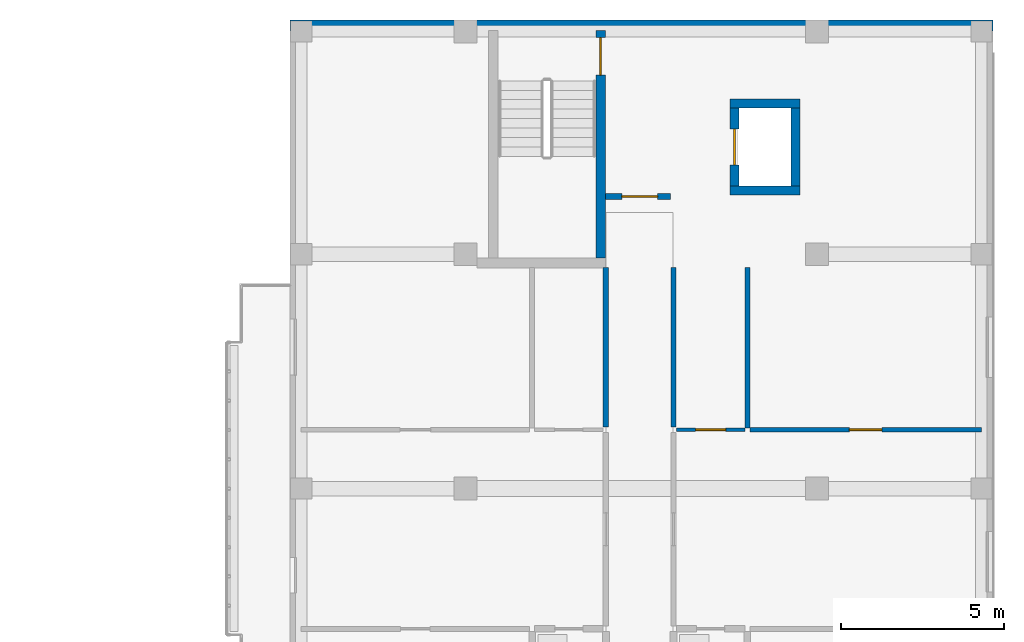
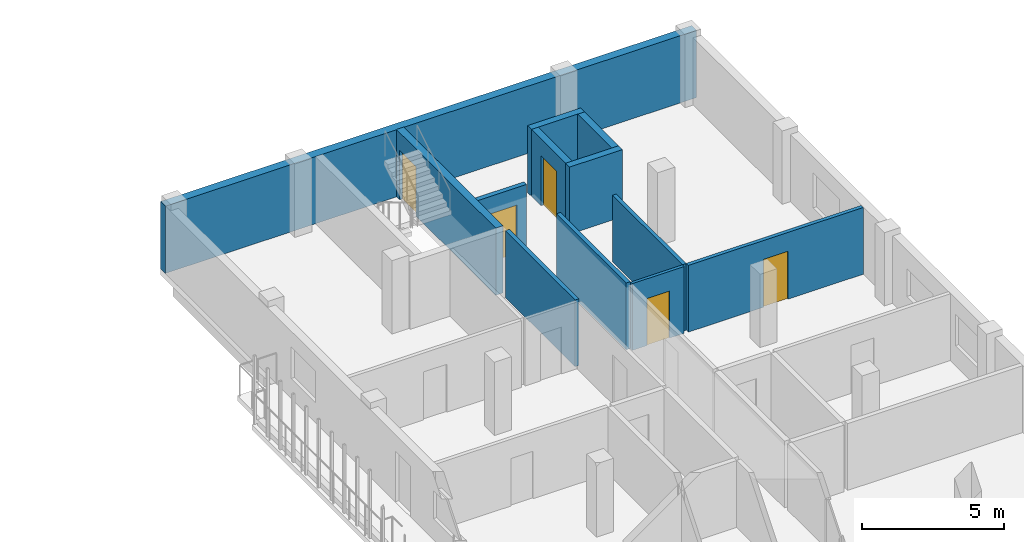
# One storey, part 36 of 51: 12 walls, 5 doors, 5 openings.
"""IFC4 building model written with IfcOpenShell, lengths in metres."""

from ifc_helpers import new_model, si_unit, derived_unit, direction, frame, frame_2d, origin, place, context, subcontext, project, spatial, rectangle, extrude, material, layer, layer_set, type_object, element, fill, save


model = new_model("IFC4")

# Units and contexts
model_context = context("Model", 3, precision=1e-05, world=origin(), true_north=direction((0.0, 1.0)))
body_context = subcontext(model_context, "Body", "Model", "MODEL_VIEW")
ifc_project = project(units=[si_unit("LENGTHUNIT", "METRE"), si_unit("AREAUNIT", "SQUARE_METRE"), si_unit("VOLUMEUNIT", "CUBIC_METRE"), si_unit("PLANEANGLEUNIT", "RADIAN"), si_unit("MASSUNIT", "GRAM", prefix="KILO"), derived_unit("THERMALTRANSMITTANCEUNIT", [(si_unit("MASSUNIT", "GRAM", prefix="KILO"), 1), (si_unit("TIMEUNIT", "SECOND"), -3), (si_unit("THERMODYNAMICTEMPERATUREUNIT", "KELVIN"), -1)])], contexts=[model_context])

# Site, building, storey
site_placement = place(None, origin())
site = spatial("IfcSite", under=ifc_project, at=site_placement, CompositionType="ELEMENT")
building_placement = place(site_placement, origin())
building = spatial("IfcBuilding", under=site, at=building_placement, Name="Ochrekiln Boulevard Commons", CompositionType="ELEMENT")
storey_placement = place(building_placement, frame((0.0, 0.0, 18.375)))
storey = spatial("IfcBuildingStorey", under=building, at=storey_placement, Name="L05", CompositionType="ELEMENT", Elevation=18.375)

# Walls
ifc_material_1 = material(Name="Iron-spot brown clinker brick masonry ASTM C216 Grade SW", Category="masonry")
ifc_layer_1 = layer(ifc_material_1, 0.340087890625)
ifc_layer_set_1 = layer_set([ifc_layer_1], Name="Iron-spot brown clinker brick masonry ASTM C216 Grade SW")
wall_type_1 = type_object("IfcWallType", Name="WL-EXT-IRON-340", PredefinedType="SOLIDWALL", material=ifc_layer_set_1)
wall_1_placement = place(storey_placement, frame((151.199951171875, 118.6298828125, 0.0), z_axis=(0.0, 0.0, 1.0), x_axis=(1.0, 0.0, 0.0)))
element("IfcWall", 1, at=wall_1_placement, inside=storey, type_object=wall_type_1, Name="Block B L05 N Exterior Wall", PredefinedType="SOLIDWALL", context=body_context, shape_type="SweptSolid", body=[
    extrude(rectangle(XDim=21.60009765625, YDim=0.340087890625, at=frame_2d((10.800048828125, 0.0))), origin(), (0.0, 0.0, 1.0), 2.889892578125),
])
ifc_material_2 = material(Name="Fire-rated Type X gypsum board on steel studs", Category="steel")
ifc_layer_2 = layer(ifc_material_2, 0.1650390625)
ifc_layer_set_2 = layer_set([ifc_layer_2], Name="Fire-rated Type X gypsum board on steel studs")
wall_type_2 = type_object("IfcWallType", Name="WL-PT-CORR-165", PredefinedType="PARTITIONING", material=ifc_layer_set_2)
for number, where, z_axis, x_axis, name in (
    (2, (160.909912109375, 106.2880859375, 0.0), (0.0, 0.0, 1.0), (0.0, 1.0, 0.0), "L05 Interior Wall W-PC165"),
    (3, (162.989990234375, 106.2880859375, 0.0), (0.0, 0.0, 1.0), (0.0, 1.0, 0.0), "L05 Interior Wall W-PC165"),
):
    element("IfcWall", number, at=place(storey_placement, frame(where, z_axis=z_axis, x_axis=x_axis)), inside=storey, type_object=wall_type_2, Name=name, PredefinedType="PARTITIONING", context=body_context, shape_type="SweptSolid", body=[
        extrude(rectangle(XDim=4.911865234375, YDim=0.1650390625, at=frame_2d((2.4560546875, 0.0))), origin(), (0.0, 0.0, 1.0), 2.8701171875),
    ])

# Wall, opening, door
ifc_layer_3 = layer(ifc_material_2, 0.18994140625)
ifc_layer_set_3 = layer_set([ifc_layer_3], Name="Fire-rated Type X gypsum board on steel studs")
wall_type_3 = type_object("IfcWallType", Name="WL-PT-LBY-190", PredefinedType="PARTITIONING", material=ifc_layer_set_3)
wall_2_placement = place(storey_placement, frame((160.89990234375, 113.3798828125, 0.0), z_axis=(0.0, 0.0, 1.0), x_axis=(1.0, 0.0, 0.0)))
wall_2 = element("IfcWall", 4, at=wall_2_placement, inside=storey, type_object=wall_type_3, Name="L05 Interior Wall W-PL190", PredefinedType="PARTITIONING", context=body_context, shape_type="SweptSolid", body=[
    extrude(rectangle(XDim=2.0, YDim=0.18994140625, at=frame_2d((1.0, 0.0))), origin(), (0.0, 0.0, 1.0), 2.8701171875),
])
opening_1_placement = place(wall_2_placement, frame((0.5, 0.0, 0.0)))
opening_1 = element("IfcOpeningElement", 5, at=opening_1_placement, cuts=wall_2, Name="Opening D-L05-704", PredefinedType="OPENING", context=body_context, shape_type="SweptSolid", body=[
    extrude(rectangle(XDim=1.10009765625, YDim=2.1201171875, at=frame_2d((0.550048828125, 1.06005859375))), frame((0.0, 0.10498046875, 0.0), z_axis=(0.0, -1.0, 0.0), x_axis=(1.0, 0.0, 0.0)), (0.0, 0.0, 1.0), 0.2099609375),
])
ifc_material_3 = material(Name="Hollow metal fire-rated steel door assembly", Category="steel")
door_type_1 = type_object("IfcDoorType", Name="DR-LOBBY-60", OperationType="NOTDEFINED", PredefinedType="DOOR", material=ifc_material_3)
door_1_placement = place(opening_1_placement, origin())
door_1 = element("IfcDoor", 6, at=door_1_placement, inside=storey, type_object=door_type_1, Name="L05 Interior Door to Fire Service Access Elevator Lobby", OperationType="SINGLE_SWING_RIGHT", OverallHeight=2.1201171875, OverallWidth=1.10009765625, PredefinedType="DOOR", context=body_context, shape_type="SweptSolid", body=[
    extrude(rectangle(XDim=1.10009765625, YDim=2.1201171875, at=frame_2d((0.550048828125, 1.06005859375))), frame((0.0, 0.02490234375, 0.0), z_axis=(0.0, -1.0, 0.0), x_axis=(1.0, 0.0, 0.0)), (0.0, 0.0, 1.0), 0.050048828125),
])
fill(opening_1, door_1)

ifc_layer_4 = layer(ifc_material_2, 0.1201171875)
ifc_layer_set_4 = layer_set([ifc_layer_4], Name="Fire-rated Type X gypsum board on steel studs")
wall_type_4 = type_object("IfcWallType", Name="WL-PT-LGT-120", PredefinedType="PARTITIONING", material=ifc_layer_set_4)
wall_3_placement = place(storey_placement, frame((163.072998046875, 106.2080078125, 0.0), z_axis=(0.0, 0.0, 1.0), x_axis=(1.0, 0.0, 0.0)))
wall_3 = element("IfcWall", 7, at=wall_3_placement, inside=storey, type_object=wall_type_4, Name="L05 Interior Wall W-PL120", PredefinedType="PARTITIONING", context=body_context, shape_type="SweptSolid", body=[
    extrude(rectangle(XDim=2.10693359375, YDim=0.1201171875, at=frame_2d((1.053466796875, 0.0))), origin(), (0.0, 0.0, 1.0), 2.8701171875),
])
opening_2_placement = place(wall_3_placement, frame((0.596923828125, 0.0, 0.0)))
opening_2 = element("IfcOpeningElement", 8, at=opening_2_placement, cuts=wall_3, Name="Opening D-L05-724", PredefinedType="OPENING", context=body_context, shape_type="SweptSolid", body=[
    extrude(rectangle(XDim=0.919921875, YDim=2.02001953125, at=frame_2d((0.4599609375, 1.010009765625))), frame((0.0, 0.070068359375, 0.0), z_axis=(0.0, -1.0, 0.0), x_axis=(1.0, 0.0, 0.0)), (0.0, 0.0, 1.0), 0.14013671875),
])
ifc_material_4 = material(Name="Solid core architectural oak door leaf")
door_type_2 = type_object("IfcDoorType", Name="DR-INT-KIT-092", OperationType="NOTDEFINED", PredefinedType="DOOR", material=ifc_material_4)
door_2_placement = place(opening_2_placement, origin())
door_2 = element("IfcDoor", 9, at=door_2_placement, inside=storey, type_object=door_type_2, Name="L05 Interior Door to Apartment Kitchen", OperationType="SINGLE_SWING_RIGHT", OverallHeight=2.02001953125, OverallWidth=0.919921875, PredefinedType="DOOR", context=body_context, shape_type="SweptSolid", body=[
    extrude(rectangle(XDim=0.919921875, YDim=2.02001953125, at=frame_2d((0.4599609375, 1.010009765625))), frame((0.0, 0.02490234375, 0.0), z_axis=(0.0, -1.0, 0.0), x_axis=(1.0, 0.0, 0.0)), (0.0, 0.0, 1.0), 0.050048828125),
])
fill(opening_2, door_2)

ifc_layer_5 = layer(ifc_material_2, 0.14990234375)
ifc_layer_set_5 = layer_set([ifc_layer_5], Name="Fire-rated Type X gypsum board on steel studs")
wall_type_5 = type_object("IfcWallType", Name="WL-PT-STD-150", PredefinedType="PARTITIONING", material=ifc_layer_set_5)
wall_4_placement = place(storey_placement, frame((165.340087890625, 106.2080078125, 0.0), z_axis=(0.0, 0.0, 1.0), x_axis=(1.0, 0.0, 0.0)))
wall_4 = element("IfcWall", 10, at=wall_4_placement, inside=storey, type_object=wall_type_5, Name="L05 Interior Wall W-PS150", PredefinedType="PARTITIONING", context=body_context, shape_type="SweptSolid", body=[
    extrude(rectangle(XDim=7.119873046875, YDim=0.14990234375, at=frame_2d((3.56005859375, 0.0))), origin(), (0.0, 0.0, 1.0), 2.8701171875),
])
opening_3_placement = place(wall_4_placement, frame((3.054931640625, 0.0, 0.0)))
opening_3 = element("IfcOpeningElement", 11, at=opening_3_placement, cuts=wall_4, Name="Opening D-L05-726", PredefinedType="OPENING", context=body_context, shape_type="SweptSolid", body=[
    extrude(rectangle(XDim=1.0, YDim=2.06005859375, at=frame_2d((0.5, 1.030029296875))), frame((0.0, 0.0849609375, 0.0), z_axis=(0.0, -1.0, 0.0), x_axis=(1.0, 0.0, 0.0)), (0.0, 0.0, 1.0), 0.169921875),
])
door_type_3 = type_object("IfcDoorType", Name="DR-INT-BED-100", OperationType="NOTDEFINED", PredefinedType="DOOR", material=ifc_material_4)
door_3_placement = place(opening_3_placement, origin())
door_3 = element("IfcDoor", 12, at=door_3_placement, inside=storey, type_object=door_type_3, Name="L05 Interior Door to Secondary Apartment Bedroom", OperationType="SINGLE_SWING_RIGHT", OverallHeight=2.06005859375, OverallWidth=1.0, PredefinedType="DOOR", context=body_context, shape_type="SweptSolid", body=[
    extrude(rectangle(XDim=1.0, YDim=2.06005859375, at=frame_2d((0.5, 1.030029296875))), frame((0.0, 0.02490234375, 0.0), z_axis=(0.0, -1.0, 0.0), x_axis=(1.0, 0.0, 0.0)), (0.0, 0.0, 1.0), 0.050048828125),
])
fill(opening_3, door_3)

# Walls
wall_5_placement = place(storey_placement, frame((165.260009765625, 106.26806640625, 0.0), z_axis=(0.0, 0.0, 1.0), x_axis=(0.0, 1.0, 0.0)))
element("IfcWall", 13, at=wall_5_placement, inside=storey, type_object=wall_type_5, Name="L05 Interior Wall W-PS150", PredefinedType="PARTITIONING", context=body_context, shape_type="SweptSolid", body=[
    extrude(rectangle(XDim=4.931884765625, YDim=0.14990234375, at=frame_2d((2.4658203125, 0.0))), origin(), (0.0, 0.0, 1.0), 2.8701171875),
])
ifc_material_5 = material(Name="Concrete C40/50", Category="concrete")
ifc_layer_6 = layer(ifc_material_5, 0.27490234375)
ifc_layer_set_6 = layer_set([ifc_layer_6], Name="Concrete C40/50")
wall_type_6 = type_object("IfcWallType", Name="WL-SH-275", PredefinedType="SHEAR", material=ifc_layer_set_6)
for number, where, z_axis, x_axis, name in (
    (14, (164.72509765625, 113.5625, 0.0), (0.0, 0.0, 1.0), (1.0, 0.0, 0.0), "Elevator FF-B2 L05 Hoistway Shear Wall"),
    (15, (164.72509765625, 116.237548828125, 0.0), (0.0, 0.0, 1.0), (1.0, 0.0, 0.0), "Elevator FF-B2 L05 Hoistway Shear Wall"),
):
    element("IfcWall", number, at=place(storey_placement, frame(where, z_axis=z_axis, x_axis=x_axis)), inside=storey, type_object=wall_type_6, Name=name, PredefinedType="SHEAR", context=body_context, shape_type="SweptSolid", body=[
        extrude(rectangle(XDim=2.14990234375, YDim=0.27490234375, at=frame_2d((1.074951171875, 0.0))), origin(), (0.0, 0.0, 1.0), 2.889892578125),
    ])

# Wall, opening, door
wall_6_placement = place(storey_placement, frame((164.862548828125, 113.699951171875, 0.0), z_axis=(0.0, 0.0, 1.0), x_axis=(0.0, 1.0, 0.0)))
wall_6 = element("IfcWall", 16, at=wall_6_placement, inside=storey, type_object=wall_type_6, Name="Elevator FF-B2 L05 Hoistway Shear Wall", PredefinedType="SHEAR", context=body_context, shape_type="SweptSolid", body=[
    extrude(rectangle(XDim=2.400146484375, YDim=0.27490234375, at=frame_2d((1.2001953125, 0.0))), origin(), (0.0, 0.0, 1.0), 2.889892578125),
])
opening_4_placement = place(wall_6_placement, frame((0.64990234375, 0.0, 0.0)))
opening_4 = element("IfcOpeningElement", 17, at=opening_4_placement, cuts=wall_6, Name="Opening LD-FF-B2-L05", PredefinedType="OPENING", context=body_context, shape_type="SweptSolid", body=[
    extrude(rectangle(XDim=1.10009765625, YDim=2.14990234375, at=frame_2d((0.550048828125, 1.074951171875))), frame((0.0, 0.1474609375, 0.0), z_axis=(0.0, -1.0, 0.0), x_axis=(1.0, 0.0, 0.0)), (0.0, 0.0, 1.0), 0.294921875),
])
ifc_material_6 = material(Name="Brushed stainless steel 316 elevator cab and doors", Category="steel")
door_type_4 = type_object("IfcDoorType", Name="DR-LIFT-LD90", OperationType="SLIDING_TO_LEFT", PredefinedType="DOOR", material=ifc_material_6)
door_4_placement = place(opening_4_placement, origin())
door_4 = element("IfcDoor", 18, at=door_4_placement, inside=storey, type_object=door_type_4, Name="Elevator FF-B2 L05 Sliding Landing Door LD-FF-B2-L05", OperationType="SLIDING_TO_LEFT", OverallHeight=2.14990234375, OverallWidth=1.10009765625, PredefinedType="DOOR", context=body_context, shape_type="SweptSolid", body=[
    extrude(rectangle(XDim=1.10009765625, YDim=2.14990234375, at=frame_2d((0.550048828125, 1.074951171875))), frame((0.0, 0.02490234375, 0.0), z_axis=(0.0, -1.0, 0.0), x_axis=(1.0, 0.0, 0.0)), (0.0, 0.0, 1.0), 0.050048828125),
])
fill(opening_4, door_4)

# Wall
wall_7_placement = place(storey_placement, frame((166.737548828125, 113.699951171875, 0.0), z_axis=(0.0, 0.0, 1.0), x_axis=(0.0, 1.0, 0.0)))
element("IfcWall", 19, at=wall_7_placement, inside=storey, type_object=wall_type_6, Name="Elevator FF-B2 L05 Hoistway Shear Wall", PredefinedType="SHEAR", context=body_context, shape_type="SweptSolid", body=[
    extrude(rectangle(XDim=2.400146484375, YDim=0.27490234375, at=frame_2d((1.2001953125, 0.0))), origin(), (0.0, 0.0, 1.0), 2.889892578125),
])

# Wall, opening, door
ifc_layer_7 = layer(ifc_material_5, 0.300048828125)
ifc_layer_set_7 = layer_set([ifc_layer_7], Name="Concrete C40/50")
wall_type_7 = type_object("IfcWallType", Name="WL-SH-300", PredefinedType="SHEAR", material=ifc_layer_set_7)
wall_8_placement = place(storey_placement, frame((160.75, 111.47998046875, 0.0), z_axis=(0.0, 0.0, 1.0), x_axis=(0.0, 1.0, 0.0)))
wall_8 = element("IfcWall", 20, at=wall_8_placement, inside=storey, type_object=wall_type_7, Name="Stair ST-B2 L05 Core Shear Wall E", PredefinedType="SHEAR", context=body_context, shape_type="SweptSolid", body=[
    extrude(rectangle(XDim=7.0, YDim=0.300048828125, at=frame_2d((3.5, 0.0))), origin(), (0.0, 0.0, 1.0), 2.889892578125),
])
opening_5_placement = place(wall_8_placement, frame((5.625, 0.0, 0.0)))
opening_5 = element("IfcOpeningElement", 21, at=opening_5_placement, cuts=wall_8, Name="Opening D-L05-ST-B2", PredefinedType="OPENING", context=body_context, shape_type="SweptSolid", body=[
    extrude(rectangle(XDim=1.14990234375, YDim=2.1201171875, at=frame_2d((0.574951171875, 1.06005859375))), frame((0.0, 0.159912109375, 0.0), z_axis=(0.0, -1.0, 0.0), x_axis=(1.0, 0.0, 0.0)), (0.0, 0.0, 1.0), 0.320068359375),
])
door_type_5 = type_object("IfcDoorType", Name="DR-STAIR-90", OperationType="NOTDEFINED", PredefinedType="DOOR", material=ifc_material_3)
door_5_placement = place(opening_5_placement, origin())
door_5 = element("IfcDoor", 22, at=door_5_placement, inside=storey, type_object=door_type_5, Name="Enclosed Exit Stair ST-B2 L05 Rated Door", OperationType="SINGLE_SWING_LEFT", OverallHeight=2.1201171875, OverallWidth=1.14990234375, PredefinedType="DOOR", context=body_context, shape_type="SweptSolid", body=[
    extrude(rectangle(XDim=1.14990234375, YDim=2.1201171875, at=frame_2d((0.574951171875, 1.06005859375))), frame((0.0, 0.02490234375, 0.0), z_axis=(0.0, -1.0, 0.0), x_axis=(1.0, 0.0, 0.0)), (0.0, 0.0, 1.0), 0.050048828125),
])
fill(opening_5, door_5)

save(model, "model.ifc")
